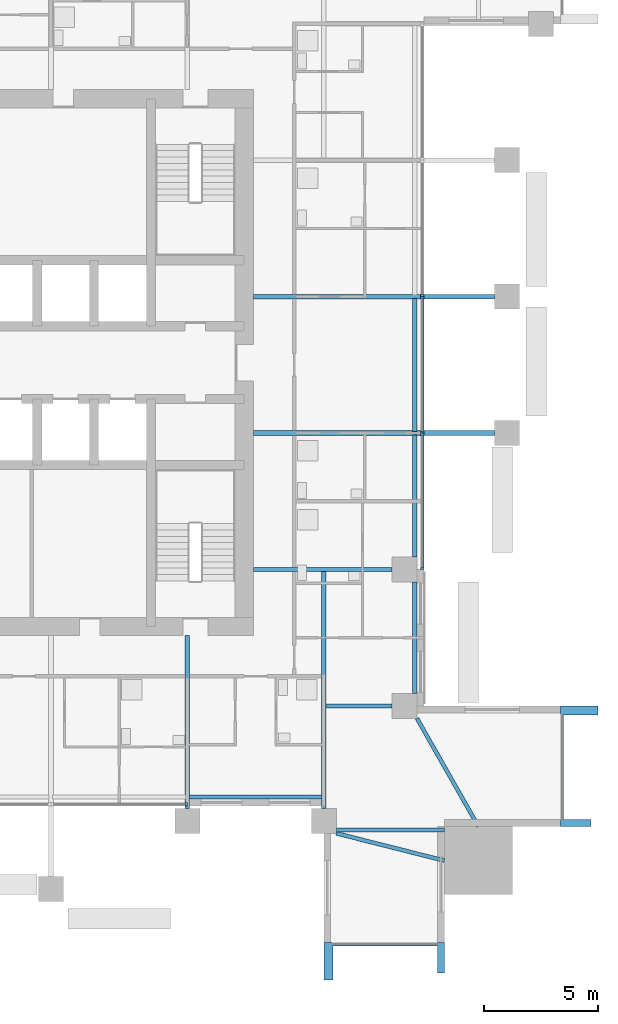
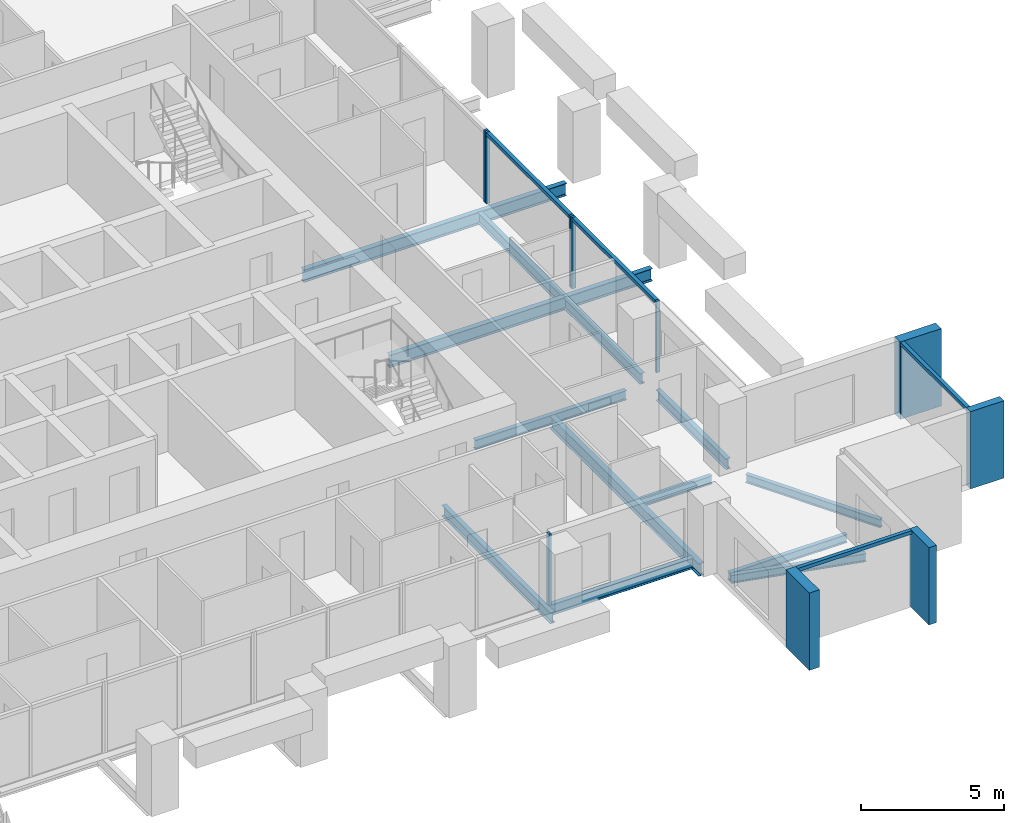
# One storey, part 3 of 13: 14 members, 13 beams, 6 elements without a shape of their own.
"""IFC4 building model written with IfcOpenShell, lengths in metres."""

import ifcopenshell
import ifcopenshell.guid

model = None  # the IFC model being written
_history = None  # IfcOwnerHistory: only IFC2X3 demands one
_inside = {}  # id of a spatial element -> (the spatial element, [elements in it])
_under = {}  # id of a project, library or spatial element -> (it, [spatial elements below it])
_declared = {}  # id of a project -> (the project, [libraries it declares])
_typed = {}  # id of a type object -> (the type object, [elements of that type])
_made_of = {}  # id of a material, layer set ... -> (it, [elements and type objects made of it])


def new_model(schema):
    """Start an empty IFC model of exactly this schema.

    Asked for "IFC4X3", IfcOpenShell would pick the latest addendum, in which some entities
    have other attributes; the version numbers below select the first issue.
    IFC2X3 requires an IfcOwnerHistory on every rooted entity: one is made here for all.
    """
    global model, _history
    if schema == "IFC4X3":
        model = ifcopenshell.file(schema_version=(4, 3, 0, 0))
    else:
        model = ifcopenshell.file(schema=schema)
    _inside.clear()
    _under.clear()
    _declared.clear()
    _typed.clear()
    _made_of.clear()
    _history = None
    if model.schema == "IFC2X3":
        org = make("IfcOrganization", Name="unknown")
        user = make(
            "IfcPersonAndOrganization",
            ThePerson=make("IfcPerson", FamilyName="unknown"),
            TheOrganization=org,
        )
        app = make(
            "IfcApplication",
            ApplicationDeveloper=org,
            Version="unknown",
            ApplicationFullName="unknown",
            ApplicationIdentifier="unknown",
        )
        _history = make(
            "IfcOwnerHistory",
            OwningUser=user,
            OwningApplication=app,
            ChangeAction="ADDED",
            CreationDate=0,
        )
    return model


def make(cls, **values):
    """One entity of the class cls with the attributes given. An attribute that is None is left unset."""
    return model.create_entity(
        cls, **{name: value for name, value in values.items() if value is not None}
    )


def rooted(cls, **values):
    """An entity with a GlobalId (a new one), such as an element, a storey or a relation."""
    return make(cls, GlobalId=ifcopenshell.guid.new(), OwnerHistory=_history, **values)


def si_unit(unit_type, name, prefix=None):
    """IfcSIUnit, for example si_unit("LENGTHUNIT", "METRE", prefix="MILLI")."""
    return make("IfcSIUnit", UnitType=unit_type, Prefix=prefix, Name=name)


def assignment(units):
    """IfcUnitAssignment: the units of a project."""
    return None if units is None else make("IfcUnitAssignment", Units=units)


def point(xyz):
    """IfcCartesianPoint."""
    return None if xyz is None else make("IfcCartesianPoint", Coordinates=xyz)


def direction(xyz):
    """IfcDirection."""
    return None if xyz is None else make("IfcDirection", DirectionRatios=xyz)


def frame(location, z_axis=None, x_axis=None):
    """IfcAxis2Placement3D, a coordinate frame: its origin and axes. An axis left out is left unset."""
    return make(
        "IfcAxis2Placement3D",
        Location=point(location),
        Axis=direction(z_axis),
        RefDirection=direction(x_axis),
    )


def frame_2d(location, x_axis=None):
    """IfcAxis2Placement2D, a coordinate frame in the plane: its origin and x axis."""
    return make(
        "IfcAxis2Placement2D", Location=point(location), RefDirection=direction(x_axis)
    )


def origin():
    """The frame at (0, 0, 0) with its axes left unset."""
    return frame((0.0, 0.0, 0.0))


def origin_2d():
    """The frame at (0, 0) in the plane with its x axis left unset."""
    return frame_2d((0.0, 0.0))


def place(relative_to, where):
    """IfcLocalPlacement: puts the frame where relative to a parent placement (None: the world)."""
    return make(
        "IfcLocalPlacement", PlacementRelTo=relative_to, RelativePlacement=where
    )


def context(
    kind, dimensions, precision=None, world=None, true_north=None, identifier=None
):
    """IfcGeometricRepresentationContext, for example the 3D "Model" context."""
    return make(
        "IfcGeometricRepresentationContext",
        ContextIdentifier=identifier,
        ContextType=kind,
        CoordinateSpaceDimension=dimensions,
        Precision=precision,
        WorldCoordinateSystem=world,
        TrueNorth=true_north,
    )


def subcontext(parent, identifier, kind, view, scale=None):
    """IfcGeometricRepresentationSubContext, for example "Body" below "Model"."""
    return make(
        "IfcGeometricRepresentationSubContext",
        ContextIdentifier=identifier,
        ContextType=kind,
        ParentContext=parent,
        TargetScale=scale,
        TargetView=view,
    )


def project(units=None, contexts=None):
    """IfcProject with its units and contexts."""
    return rooted(
        "IfcProject",
        Name="project",
        RepresentationContexts=contexts,
        UnitsInContext=assignment(units),
    )


def spatial(cls, under=None, at=None, **own):
    """A site, building, storey or space (cls), placed at a placement, below another one or the project."""
    s = rooted(cls, ObjectPlacement=at, **own)
    if under is not None:
        _under.setdefault(under.id(), (under, []))[1].append(s)
    return s


def profile(cls, at=None, kind="AREA", **sizes):
    """A parametric profile (cls). Its sizes go by their IFC names, for example OverallWidth=200.0."""
    return make(cls, ProfileType=kind, Position=at, **sizes)


def rectangle(**sizes):
    """IfcRectangleProfileDef."""
    return profile("IfcRectangleProfileDef", **sizes)


def i_section(**sizes):
    """IfcIShapeProfileDef."""
    return profile("IfcIShapeProfileDef", **sizes)


def extrude(swept, where, along, depth):
    """IfcExtrudedAreaSolid: the profile swept, set in the frame where, extruded along a direction by depth."""
    return make(
        "IfcExtrudedAreaSolid",
        SweptArea=swept,
        Position=where,
        ExtrudedDirection=direction(along),
        Depth=depth,
    )


def shape(context_of_items, identifier, shape_type, items):
    """IfcShapeRepresentation: the items that make up one representation, for example the "Body"."""
    return make(
        "IfcShapeRepresentation",
        ContextOfItems=context_of_items,
        RepresentationIdentifier=identifier,
        RepresentationType=shape_type,
        Items=items,
    )


def material(Name=None, Category=None):
    """IfcMaterial."""
    return make("IfcMaterial", Name=Name, Category=Category)


def material_profile(
    of_material, cross_section, Name=None, Category=None, Priority=None
):
    """IfcMaterialProfile: a cross section and its material."""
    return make(
        "IfcMaterialProfile",
        Name=Name,
        Material=of_material,
        Profile=cross_section,
        Priority=Priority,
        Category=Category,
    )


def profile_set(profiles, Name=None, composite=None):
    """IfcMaterialProfileSet."""
    return make(
        "IfcMaterialProfileSet",
        Name=Name,
        MaterialProfiles=profiles,
        CompositeProfile=composite,
    )


def made_of(thing, what):
    """Note that an element or type object is made of a material, layer set ...; save() writes the relation."""
    if what is not None:
        _made_of.setdefault(what.id(), (what, []))[1].append(thing)
    return thing


def type_object(cls, material=None, **own):
    """A type object (cls), such as IfcWallType, which elements share."""
    return made_of(rooted(cls, **own), material)


def element(
    cls,
    number,
    at=None,
    inside=None,
    cuts=None,
    type_object=None,
    material=None,
    context=None,
    identifier="Body",
    shape_type=None,
    held_by="IfcProductDefinitionShape",
    body=None,
    shapes=None,
    **own,
):
    """One element of the class cls, such as IfcWall. Its Tag is "e" and its number.

    at: its placement. inside: the storey or other place that contains it. cuts: it is an
    opening in that element (IfcRelVoidsElement). A single representation is given by context,
    identifier, shape_type and body (its items); several are given by shapes. held_by: the class
    of the entity that holds the representations. save() writes the other relations.
    """
    e = rooted(cls, Tag="e%d" % number, ObjectPlacement=at, **own)
    if body is not None:
        shapes = [shape(context, identifier, shape_type, body)]
    if shapes is not None:
        e.Representation = make(held_by, Representations=shapes)
    if inside is not None:
        _inside.setdefault(inside.id(), (inside, []))[1].append(e)
    if cuts is not None:
        rooted(
            "IfcRelVoidsElement", RelatingBuildingElement=cuts, RelatedOpeningElement=e
        )
    if type_object is not None:
        _typed.setdefault(type_object.id(), (type_object, []))[1].append(e)
    return made_of(e, material)


def aggregate(whole, parts):
    """IfcRelAggregates: a whole, such as a stair, and the parts it consists of."""
    return rooted("IfcRelAggregates", RelatingObject=whole, RelatedObjects=parts)


def save(model, path):
    """Write the relations noted so far, then the file.

    IfcRelAggregates (storeys below a building ...), IfcRelContainedInSpatialStructure (elements
    in a storey), IfcRelDefinesByType, IfcRelAssociatesMaterial and IfcRelDeclares: one each for
    every whole, place, type object, material and project.
    """
    for whole, parts in _under.values():
        aggregate(whole, parts)
    for where, things in _inside.values():
        rooted(
            "IfcRelContainedInSpatialStructure",
            RelatedElements=things,
            RelatingStructure=where,
        )
    for kind, things in _typed.values():
        rooted("IfcRelDefinesByType", RelatedObjects=things, RelatingType=kind)
    for what, things in _made_of.values():
        rooted("IfcRelAssociatesMaterial", RelatedObjects=things, RelatingMaterial=what)
    for by, libraries in _declared.values():
        rooted("IfcRelDeclares", RelatingContext=by, RelatedDefinitions=libraries)
    model.write(path)


model = new_model("IFC4")

# Units and contexts
model_context = context("Model", 3, precision=1e-05, world=origin(), true_north=direction((0.0, 1.0)))
body_context = subcontext(model_context, "Body", "Model", "MODEL_VIEW")
ifc_project = project(units=[si_unit("LENGTHUNIT", "METRE"), si_unit("AREAUNIT", "SQUARE_METRE"), si_unit("VOLUMEUNIT", "CUBIC_METRE"), si_unit("PLANEANGLEUNIT", "RADIAN"), si_unit("MASSUNIT", "GRAM", prefix="KILO")], contexts=[model_context])

# Site, building, storey
site_placement = place(None, origin())
site = spatial("IfcSite", under=ifc_project, at=site_placement, CompositionType="ELEMENT")
building_placement = place(site_placement, origin())
building = spatial("IfcBuilding", under=site, at=building_placement, Name="Amberfall Residences", CompositionType="ELEMENT")
storey_placement = place(building_placement, frame((0.0, 0.0, 111.699951171875)))
storey = spatial("IfcBuildingStorey", under=building, at=storey_placement, Name="L30", CompositionType="ELEMENT", Elevation=111.699951171875)

# Curtain wall, member
ifc_material_1 = material(Name="Bronze anodised aluminium and glass", Category="aluminium")
curtain_wall_type_1 = type_object("IfcCurtainWallType", Name="Curtain wall CW1 tower unit", PredefinedType="USERDEFINED", material=ifc_material_1)
curtain_wall_1_placement = place(storey_placement, origin())
curtain_wall_1 = element("IfcCurtainWall", 1, at=curtain_wall_1_placement, inside=storey, type_object=curtain_wall_type_1, Name="Curtain wall L30 S S9", ObjectType="UNITISED CURTAIN WALL", PredefinedType="USERDEFINED")
ifc_material_2 = material(Name="Bronze anodised aluminium", Category="aluminium")
ifc_material_profile_1 = material_profile(ifc_material_2, rectangle(XDim=0.14990234375, YDim=0.14990234375, at=origin_2d()), Name="CW1 transom 150 x 150 bronze")
ifc_profile_set_1 = profile_set([ifc_material_profile_1], Name="Bronze anodised aluminium")
member_type_1 = type_object("IfcMemberType", Name="CW1 transom 150 x 150 bronze", PredefinedType="USERDEFINED", material=ifc_profile_set_1)
member_1_placement = place(storey_placement, frame((90.0, 19.925048828125, 2.97509765625), z_axis=(1.0, 0.0, 0.0), x_axis=(0.0, 1.0, 0.0)))
member_1 = element("IfcMember", 2, at=member_1_placement, type_object=member_type_1, Name="CW1 transom 1.1", ObjectType="TRANSOM", PredefinedType="USERDEFINED", context=body_context, shape_type="SweptSolid", body=[
    extrude(rectangle(XDim=0.14990234375, YDim=0.14990234375, at=origin_2d()), origin(), (0.0, 0.0, 1.0), 4.60009765625),
])

curtain_wall_2_placement = place(storey_placement, origin())
curtain_wall_2 = element("IfcCurtainWall", 3, at=curtain_wall_2_placement, inside=storey, type_object=curtain_wall_type_1, Name="Curtain wall L30 E E1", ObjectType="UNITISED CURTAIN WALL", PredefinedType="USERDEFINED")
member_2_placement = place(storey_placement, frame((100.074951171875, 25.39990234375, 2.97509765625), z_axis=(0.0, 1.0, 0.0), x_axis=(-1.0, 0.0, 0.0)))
member_2 = element("IfcMember", 4, at=member_2_placement, type_object=member_type_1, Name="CW1 transom 1.1", ObjectType="TRANSOM", PredefinedType="USERDEFINED", context=body_context, shape_type="SweptSolid", body=[
    extrude(rectangle(XDim=0.14990234375, YDim=0.14990234375, at=origin_2d()), origin(), (0.0, 0.0, 1.0), 4.60009765625),
])

curtain_wall_type_2 = type_object("IfcCurtainWallType", Name="Curtain wall CW3 sky garden glazing", PredefinedType="USERDEFINED", material=ifc_material_1)
curtain_wall_3_placement = place(storey_placement, origin())
curtain_wall_3 = element("IfcCurtainWall", 5, at=curtain_wall_3_placement, inside=storey, type_object=curtain_wall_type_2, Name="Curtain wall L30 S S6", ObjectType="UNITISED CURTAIN WALL", PredefinedType="USERDEFINED")
ifc_material_profile_2 = material_profile(ifc_material_2, rectangle(XDim=0.14990234375, YDim=0.10009765625, at=origin_2d()), Name="CW3 mullion 100 x 150 bronze")
ifc_profile_set_2 = profile_set([ifc_material_profile_2], Name="Bronze anodised aluminium")
member_type_2 = type_object("IfcMemberType", Name="CW3 mullion 100 x 150 bronze", PredefinedType="MULLION", material=ifc_profile_set_2)
member_3_placement = place(storey_placement, frame((83.550048828125, 26.074951171875, 0.0), z_axis=(0.0, 0.0, 1.0), x_axis=(0.0, 1.0, 0.0)))
member_3 = element("IfcMember", 6, at=member_3_placement, type_object=member_type_2, Name="CW3 mullion 2", PredefinedType="MULLION", context=body_context, shape_type="SweptSolid", body=[
    extrude(rectangle(XDim=0.14990234375, YDim=0.10009765625, at=origin_2d()), origin(), (0.0, 0.0, 1.0), 3.050048828125),
])
aggregate(curtain_wall_3, [member_3])

# Curtain wall, members
curtain_wall_4_placement = place(storey_placement, origin())
curtain_wall_4 = element("IfcCurtainWall", 7, at=curtain_wall_4_placement, inside=storey, type_object=curtain_wall_type_2, Name="Curtain wall L30 E E4", ObjectType="UNITISED CURTAIN WALL", PredefinedType="USERDEFINED")
member_4_placement = place(storey_placement, frame((93.925048828125, 36.449951171875, 0.0), z_axis=(0.0, 0.0, 1.0), x_axis=(-1.0, 0.0, 0.0)))
member_4 = element("IfcMember", 8, at=member_4_placement, type_object=member_type_2, Name="CW3 mullion 1", PredefinedType="MULLION", context=body_context, shape_type="SweptSolid", body=[
    extrude(rectangle(XDim=0.14990234375, YDim=0.10009765625, at=origin_2d()), origin(), (0.0, 0.0, 1.0), 3.050048828125),
])
member_5_placement = place(storey_placement, frame((93.925048828125, 42.35009765625, 0.0), z_axis=(0.0, 0.0, 1.0), x_axis=(-1.0, 0.0, 0.0)))
member_5 = element("IfcMember", 9, at=member_5_placement, type_object=member_type_2, Name="CW3 mullion 2", PredefinedType="MULLION", context=body_context, shape_type="SweptSolid", body=[
    extrude(rectangle(XDim=0.14990234375, YDim=0.10009765625, at=origin_2d()), origin(), (0.0, 0.0, 1.0), 3.050048828125),
])

curtain_wall_5_placement = place(storey_placement, origin())
curtain_wall_5 = element("IfcCurtainWall", 10, at=curtain_wall_5_placement, inside=storey, type_object=curtain_wall_type_2, Name="Curtain wall L30 E E5", ObjectType="UNITISED CURTAIN WALL", PredefinedType="USERDEFINED")
member_6_placement = place(storey_placement, frame((93.925048828125, 42.449951171875, 0.0), z_axis=(0.0, 0.0, 1.0), x_axis=(-1.0, 0.0, 0.0)))
member_6 = element("IfcMember", 11, at=member_6_placement, type_object=member_type_2, Name="CW3 mullion 1", PredefinedType="MULLION", context=body_context, shape_type="SweptSolid", body=[
    extrude(rectangle(XDim=0.14990234375, YDim=0.10009765625, at=origin_2d()), origin(), (0.0, 0.0, 1.0), 3.050048828125),
])
member_7_placement = place(storey_placement, frame((93.925048828125, 48.35009765625, 0.0), z_axis=(0.0, 0.0, 1.0), x_axis=(-1.0, 0.0, 0.0)))
member_7 = element("IfcMember", 12, at=member_7_placement, type_object=member_type_2, Name="CW3 mullion 2", PredefinedType="MULLION", context=body_context, shape_type="SweptSolid", body=[
    extrude(rectangle(XDim=0.14990234375, YDim=0.10009765625, at=origin_2d()), origin(), (0.0, 0.0, 1.0), 3.050048828125),
])

# Curtain wall, member
curtain_wall_6_placement = place(storey_placement, origin())
curtain_wall_6 = element("IfcCurtainWall", 13, at=curtain_wall_6_placement, inside=storey, type_object=curtain_wall_type_2, Name="Curtain wall L30 E E6", ObjectType="UNITISED CURTAIN WALL", PredefinedType="USERDEFINED")
member_8_placement = place(storey_placement, frame((93.925048828125, 48.449951171875, 0.0), z_axis=(0.0, 0.0, 1.0), x_axis=(-1.0, 0.0, 0.0)))
member_8 = element("IfcMember", 14, at=member_8_placement, type_object=member_type_2, Name="CW3 mullion 1", PredefinedType="MULLION", context=body_context, shape_type="SweptSolid", body=[
    extrude(rectangle(XDim=0.14990234375, YDim=0.10009765625, at=origin_2d()), origin(), (0.0, 0.0, 1.0), 3.050048828125),
])
aggregate(curtain_wall_6, [member_8])

# Member
ifc_material_profile_3 = material_profile(ifc_material_2, rectangle(XDim=0.14990234375, YDim=0.14990234375, at=origin_2d()), Name="CW3 transom 150 x 150 bronze")
ifc_profile_set_3 = profile_set([ifc_material_profile_3], Name="Bronze anodised aluminium")
member_type_3 = type_object("IfcMemberType", Name="CW3 transom 150 x 150 bronze", PredefinedType="USERDEFINED", material=ifc_profile_set_3)
member_9_placement = place(storey_placement, frame((93.925048828125, 36.5, 2.97509765625), z_axis=(0.0, 1.0, 0.0), x_axis=(-1.0, 0.0, 0.0)))
member_9 = element("IfcMember", 15, at=member_9_placement, type_object=member_type_3, Name="CW3 transom 1.1", ObjectType="TRANSOM", PredefinedType="USERDEFINED", context=body_context, shape_type="SweptSolid", body=[
    extrude(rectangle(XDim=0.14990234375, YDim=0.14990234375, at=origin_2d()), origin(), (0.0, 0.0, 1.0), 5.800048828125),
])

aggregate(curtain_wall_4, [member_4, member_5, member_9])

member_10_placement = place(storey_placement, frame((93.925048828125, 42.5, 2.97509765625), z_axis=(0.0, 1.0, 0.0), x_axis=(-1.0, 0.0, 0.0)))
member_10 = element("IfcMember", 16, at=member_10_placement, type_object=member_type_3, Name="CW3 transom 1.1", ObjectType="TRANSOM", PredefinedType="USERDEFINED", context=body_context, shape_type="SweptSolid", body=[
    extrude(rectangle(XDim=0.14990234375, YDim=0.14990234375, at=origin_2d()), origin(), (0.0, 0.0, 1.0), 5.800048828125),
])

aggregate(curtain_wall_5, [member_6, member_7, member_10])

ifc_material_profile_4 = material_profile(ifc_material_2, rectangle(XDim=1.35009765625, YDim=0.300048828125, at=origin_2d()), Name="Corner fin 300 x 1350 bronze")
ifc_profile_set_4 = profile_set([ifc_material_profile_4], Name="Bronze anodised aluminium")
member_type_4 = type_object("IfcMemberType", Name="Corner fin 300 x 1350 bronze", PredefinedType="MULLION", material=ifc_profile_set_4)
member_11_placement = place(storey_placement, frame((94.75, 19.324951171875, -0.25), z_axis=(0.0, 0.0, 1.0), x_axis=(0.0, 1.0, 0.0)))
member_11 = element("IfcMember", 17, at=member_11_placement, type_object=member_type_4, Name="CW FIN 2", PredefinedType="MULLION", context=body_context, shape_type="SweptSolid", body=[
    extrude(rectangle(XDim=1.35009765625, YDim=0.300048828125, at=origin_2d()), origin(), (0.0, 0.0, 1.0), 3.300048828125),
])

member_12_placement = place(storey_placement, frame((100.675048828125, 25.25, -0.25), z_axis=(0.0, 0.0, 1.0), x_axis=(-1.0, 0.0, 0.0)))
member_12 = element("IfcMember", 18, at=member_12_placement, type_object=member_type_4, Name="CW FIN 1", PredefinedType="MULLION", context=body_context, shape_type="SweptSolid", body=[
    extrude(rectangle(XDim=1.35009765625, YDim=0.300048828125, at=origin_2d()), origin(), (0.0, 0.0, 1.0), 3.300048828125),
])

# Beams
ifc_material_3 = material(Name="Steel S355", Category="steel")
ifc_material_profile_5 = material_profile(ifc_material_3, i_section(OverallWidth=0.18994140625, OverallDepth=0.453369140625, WebThickness=0.008544921875, FlangeThickness=0.0126953125, FilletRadius=0.01025390625, at=origin_2d()), Name="UB 457x191x67")
ifc_profile_set_5 = profile_set([ifc_material_profile_5], Name="Steel S355")
beam_type_1 = type_object("IfcBeamType", Name="Edge beam UB 457x191x67", PredefinedType="SPANDREL", material=ifc_profile_set_5)
beam_1_placement = place(storey_placement, frame((83.679931640625, 26.39990234375, -0.4765625), z_axis=(1.0, 0.0, 0.0), x_axis=(0.0, 1.0, 0.0)))
element("IfcBeam", 19, at=beam_1_placement, inside=storey, type_object=beam_type_1, Name="Edge beam B1 L30 05", PredefinedType="SPANDREL", context=body_context, shape_type="SweptSolid", body=[
    extrude(i_section(OverallWidth=0.18994140625, OverallDepth=0.453369140625, WebThickness=0.008544921875, FlangeThickness=0.0126953125, FilletRadius=0.01025390625, at=origin_2d()), origin(), (0.0, 0.0, 1.0), 5.840087890625),
])
beam_2_placement = place(storey_placement, frame((93.60009765625, 30.949951171875, -0.4765625), z_axis=(0.0, 1.0, 0.0), x_axis=(-1.0, 0.0, 0.0)))
element("IfcBeam", 20, at=beam_2_placement, inside=storey, type_object=beam_type_1, Name="Edge beam B1 L30 12", PredefinedType="SPANDREL", context=body_context, shape_type="SweptSolid", body=[
    extrude(i_section(OverallWidth=0.18994140625, OverallDepth=0.453369140625, WebThickness=0.008544921875, FlangeThickness=0.0126953125, FilletRadius=0.01025390625, at=origin_2d()), origin(), (0.0, 0.0, 1.0), 4.900146484375),
])
beam_3_placement = place(storey_placement, frame((93.60009765625, 36.949951171875, -0.4765625), z_axis=(0.0, 1.0, 0.0), x_axis=(-1.0, 0.0, 0.0)))
element("IfcBeam", 21, at=beam_3_placement, inside=storey, type_object=beam_type_1, Name="Edge beam B1 L30 13", PredefinedType="SPANDREL", context=body_context, shape_type="SweptSolid", body=[
    extrude(i_section(OverallWidth=0.18994140625, OverallDepth=0.453369140625, WebThickness=0.008544921875, FlangeThickness=0.0126953125, FilletRadius=0.01025390625, at=origin_2d()), origin(), (0.0, 0.0, 1.0), 5.3701171875),
])
beam_4_placement = place(storey_placement, frame((93.60009765625, 42.47998046875, -0.4765625), z_axis=(0.0, 1.0, 0.0), x_axis=(-1.0, 0.0, 0.0)))
element("IfcBeam", 22, at=beam_4_placement, inside=storey, type_object=beam_type_1, Name="Edge beam B1 L30 14", PredefinedType="SPANDREL", context=body_context, shape_type="SweptSolid", body=[
    extrude(i_section(OverallWidth=0.18994140625, OverallDepth=0.453369140625, WebThickness=0.008544921875, FlangeThickness=0.0126953125, FilletRadius=0.01025390625, at=origin_2d()), origin(), (0.0, 0.0, 1.0), 5.840087890625),
])

# Member
ifc_material_profile_6 = material_profile(ifc_material_2, rectangle(XDim=1.64990234375, YDim=0.39990234375, at=origin_2d()), Name="Fin 400 x 1650 bronze")
ifc_profile_set_6 = profile_set([ifc_material_profile_6], Name="Bronze anodised aluminium")
member_type_5 = type_object("IfcMemberType", Name="Fin 400 x 1650 bronze", PredefinedType="MULLION", material=ifc_profile_set_6)
member_13_placement = place(storey_placement, frame((89.800048828125, 19.175048828125, -0.25), z_axis=(0.0, 0.0, 1.0), x_axis=(0.0, 1.0, 0.0)))
member_13 = element("IfcMember", 23, at=member_13_placement, type_object=member_type_5, Name="CW FIN 1", PredefinedType="MULLION", context=body_context, shape_type="SweptSolid", body=[
    extrude(rectangle(XDim=1.64990234375, YDim=0.39990234375, at=origin_2d()), origin(), (0.0, 0.0, 1.0), 3.300048828125),
])

aggregate(curtain_wall_1, [member_13, member_11, member_1])

member_14_placement = place(storey_placement, frame((100.824951171875, 30.199951171875, -0.25), z_axis=(0.0, 0.0, 1.0), x_axis=(-1.0, 0.0, 0.0)))
member_14 = element("IfcMember", 24, at=member_14_placement, type_object=member_type_5, Name="CW FIN 2", PredefinedType="MULLION", context=body_context, shape_type="SweptSolid", body=[
    extrude(rectangle(XDim=1.64990234375, YDim=0.39990234375, at=origin_2d()), origin(), (0.0, 0.0, 1.0), 3.300048828125),
])

aggregate(curtain_wall_2, [member_12, member_14, member_2])

# Beams
ifc_material_profile_7 = material_profile(ifc_material_3, i_section(OverallWidth=0.171142578125, OverallDepth=0.351318359375, WebThickness=0.007080078125, FlangeThickness=0.009765625, FilletRadius=0.01025390625, at=origin_2d()), Name="UB 356x171x45")
ifc_profile_set_7 = profile_set([ifc_material_profile_7], Name="Steel S355")
beam_type_2 = type_object("IfcBeamType", Name="Floor girder UB 356x171x45", PredefinedType="BEAM", material=ifc_profile_set_7)
beam_5_placement = place(storey_placement, frame((92.60009765625, 30.39990234375, -0.425537109375), z_axis=(-1.0, 0.0, 0.0), x_axis=(0.0, -1.0, 0.0)))
element("IfcBeam", 25, at=beam_5_placement, inside=storey, type_object=beam_type_2, Name="Floor girder B11 L30 17", PredefinedType="BEAM", context=body_context, shape_type="SweptSolid", body=[
    extrude(i_section(OverallWidth=0.171142578125, OverallDepth=0.351318359375, WebThickness=0.007080078125, FlangeThickness=0.009765625, FilletRadius=0.01025390625, at=origin_2d()), origin(), (0.0, 0.0, 1.0), 2.880126953125),
])
ifc_material_profile_8 = material_profile(ifc_material_3, i_section(OverallWidth=0.177734375, OverallDepth=0.402587890625, WebThickness=0.0078125, FlangeThickness=0.010986328125, FilletRadius=0.01025390625, at=origin_2d()), Name="UB 406x178x54")
ifc_profile_set_8 = profile_set([ifc_material_profile_8], Name="Steel S355")
beam_type_3 = type_object("IfcBeamType", Name="Floor girder UB 406x178x54", PredefinedType="BEAM", material=ifc_profile_set_8)
beam_6_placement = place(storey_placement, frame((92.60009765625, 36.39990234375, -0.451171875), z_axis=(-1.0, 0.0, 0.0), x_axis=(0.0, -1.0, 0.0)))
element("IfcBeam", 26, at=beam_6_placement, inside=storey, type_object=beam_type_3, Name="Floor girder B4 L30 18", PredefinedType="BEAM", context=body_context, shape_type="SweptSolid", body=[
    extrude(i_section(OverallWidth=0.177734375, OverallDepth=0.402587890625, WebThickness=0.0078125, FlangeThickness=0.010986328125, FilletRadius=0.01025390625, at=origin_2d()), origin(), (0.0, 0.0, 1.0), 6.10009765625),
])
ifc_material_profile_9 = material_profile(ifc_material_3, i_section(OverallWidth=0.19140625, OverallDepth=0.4599609375, WebThickness=0.010009765625, FlangeThickness=0.01611328125, FilletRadius=0.01025390625, at=origin_2d()), Name="UB 457x191x82")
ifc_profile_set_9 = profile_set([ifc_material_profile_9], Name="Steel S355")
beam_type_4 = type_object("IfcBeamType", Name="Floor girder UB 457x191x82", PredefinedType="BEAM", material=ifc_profile_set_9)
beam_7_placement = place(storey_placement, frame((83.60009765625, 25.89990234375, -0.47998046875), z_axis=(0.0, 1.0, 0.0), x_axis=(-1.0, 0.0, 0.0)))
element("IfcBeam", 27, at=beam_7_placement, inside=storey, type_object=beam_type_4, Name="Floor girder B10 L30 10", PredefinedType="BEAM", context=body_context, shape_type="SweptSolid", body=[
    extrude(i_section(OverallWidth=0.19140625, OverallDepth=0.4599609375, WebThickness=0.010009765625, FlangeThickness=0.01611328125, FilletRadius=0.01025390625, at=origin_2d()), origin(), (0.0, 0.0, 1.0), 7.60009765625),
])
ifc_material_profile_10 = material_profile(ifc_material_3, i_section(OverallWidth=0.209228515625, OverallDepth=0.533203125, WebThickness=0.010009765625, FlangeThickness=0.015625, FilletRadius=0.0126953125, at=origin_2d()), Name="UB 533x210x92")
ifc_profile_set_10 = profile_set([ifc_material_profile_10], Name="Steel S355")
beam_type_5 = type_object("IfcBeamType", Name="Floor girder UB 533x210x92", PredefinedType="BEAM", material=ifc_profile_set_10)
beam_8_placement = place(storey_placement, frame((89.60009765625, 25.89990234375, -0.5166015625), z_axis=(0.0, 1.0, 0.0), x_axis=(-1.0, 0.0, 0.0)))
element("IfcBeam", 28, at=beam_8_placement, inside=storey, type_object=beam_type_5, Name="Floor girder B3 L30 11", PredefinedType="BEAM", context=body_context, shape_type="SweptSolid", body=[
    extrude(i_section(OverallWidth=0.209228515625, OverallDepth=0.533203125, WebThickness=0.010009765625, FlangeThickness=0.015625, FilletRadius=0.0126953125, at=origin_2d()), origin(), (0.0, 0.0, 1.0), 10.416259765625),
])
for number, where, z_axis, x_axis, name in (
    (29, (97.10009765625, 42.39990234375, -0.5166015625), (-1.0, 0.0, 0.0), (0.0, -1.0, 0.0), "Floor girder B3 L30 19"),
    (30, (97.10009765625, 48.39990234375, -0.5166015625), (-1.0, 0.0, 0.0), (0.0, -1.0, 0.0), "Floor girder B3 L30 20"),
):
    element("IfcBeam", number, at=place(storey_placement, frame(where, z_axis=z_axis, x_axis=x_axis)), inside=storey, type_object=beam_type_5, Name=name, PredefinedType="BEAM", context=body_context, shape_type="SweptSolid", body=[
        extrude(i_section(OverallWidth=0.209228515625, OverallDepth=0.533203125, WebThickness=0.010009765625, FlangeThickness=0.015625, FilletRadius=0.0126953125, at=origin_2d()), origin(), (0.0, 0.0, 1.0), 10.60009765625),
    ])
ifc_material_profile_11 = material_profile(ifc_material_3, i_section(OverallWidth=0.171142578125, OverallDepth=0.351318359375, WebThickness=0.007080078125, FlangeThickness=0.009765625, FilletRadius=0.01025390625, at=origin_2d()), Name="UB 356x171x45")
ifc_profile_set_11 = profile_set([ifc_material_profile_11], Name="Steel S355")
beam_type_6 = type_object("IfcBeamType", Name="Link beam UB 356x171x45", PredefinedType="BEAM", material=ifc_profile_set_11)
beam_9_placement = place(storey_placement, frame((90.14990234375, 24.949951171875, -0.425537109375), z_axis=(1.0, 0.0, 0.0), x_axis=(0.0, 1.0, 0.0)))
element("IfcBeam", 31, at=beam_9_placement, inside=storey, type_object=beam_type_6, Name="Link beam B7 L30 45", PredefinedType="BEAM", context=body_context, shape_type="SweptSolid", body=[
    extrude(i_section(OverallWidth=0.171142578125, OverallDepth=0.351318359375, WebThickness=0.007080078125, FlangeThickness=0.009765625, FilletRadius=0.01025390625, at=origin_2d()), origin(), (0.0, 0.0, 1.0), 4.75),
])
beam_10_placement = place(storey_placement, frame((94.89990234375, 23.60009765625, -0.425537109375), z_axis=(-0.969541561087, 0.244926848928, 0.0), x_axis=(-0.244926848928, -0.969541561087, 0.0)))
element("IfcBeam", 32, at=beam_10_placement, inside=storey, type_object=beam_type_6, Name="Link beam B7 L30 48", PredefinedType="BEAM", context=body_context, shape_type="SweptSolid", body=[
    extrude(i_section(OverallWidth=0.171142578125, OverallDepth=0.351318359375, WebThickness=0.007080078125, FlangeThickness=0.009765625, FilletRadius=0.01025390625, at=origin_2d()), origin(), (0.0, 0.0, 1.0), 4.899169921875),
])
beam_11_placement = place(storey_placement, frame((96.39990234375, 25.10009765625, -0.425537109375), z_axis=(-0.494159870511, 0.869371049884, 0.0), x_axis=(-0.869371049884, -0.494159870511, 0.0)))
element("IfcBeam", 33, at=beam_11_placement, inside=storey, type_object=beam_type_6, Name="Link beam B7 L30 49", PredefinedType="BEAM", context=body_context, shape_type="SweptSolid", body=[
    extrude(i_section(OverallWidth=0.171142578125, OverallDepth=0.351318359375, WebThickness=0.007080078125, FlangeThickness=0.009765625, FilletRadius=0.01025390625, at=origin_2d()), origin(), (0.0, 0.0, 1.0), 5.463623046875),
])

save(model, "model.ifc")
